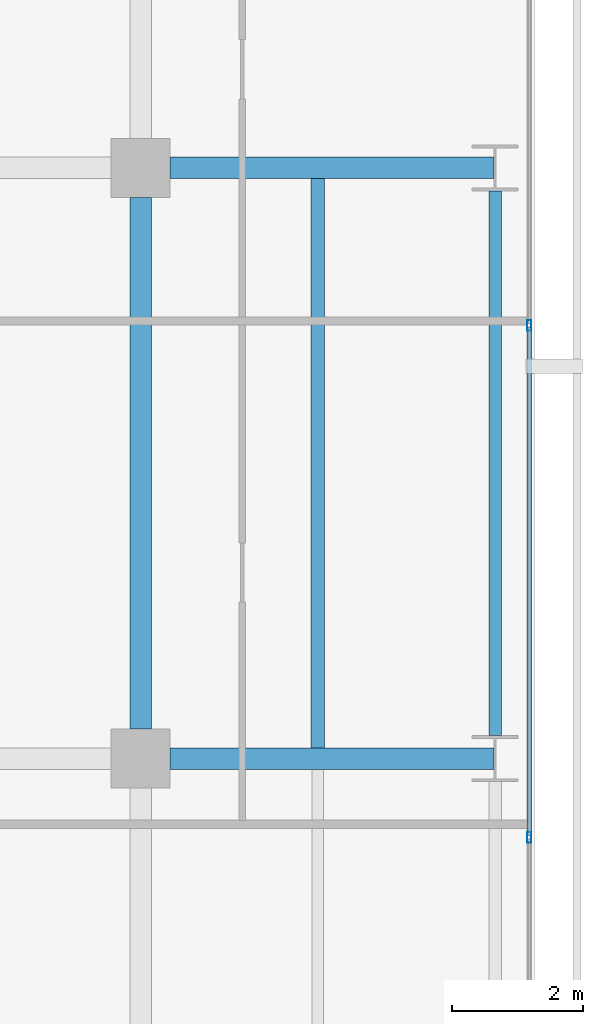
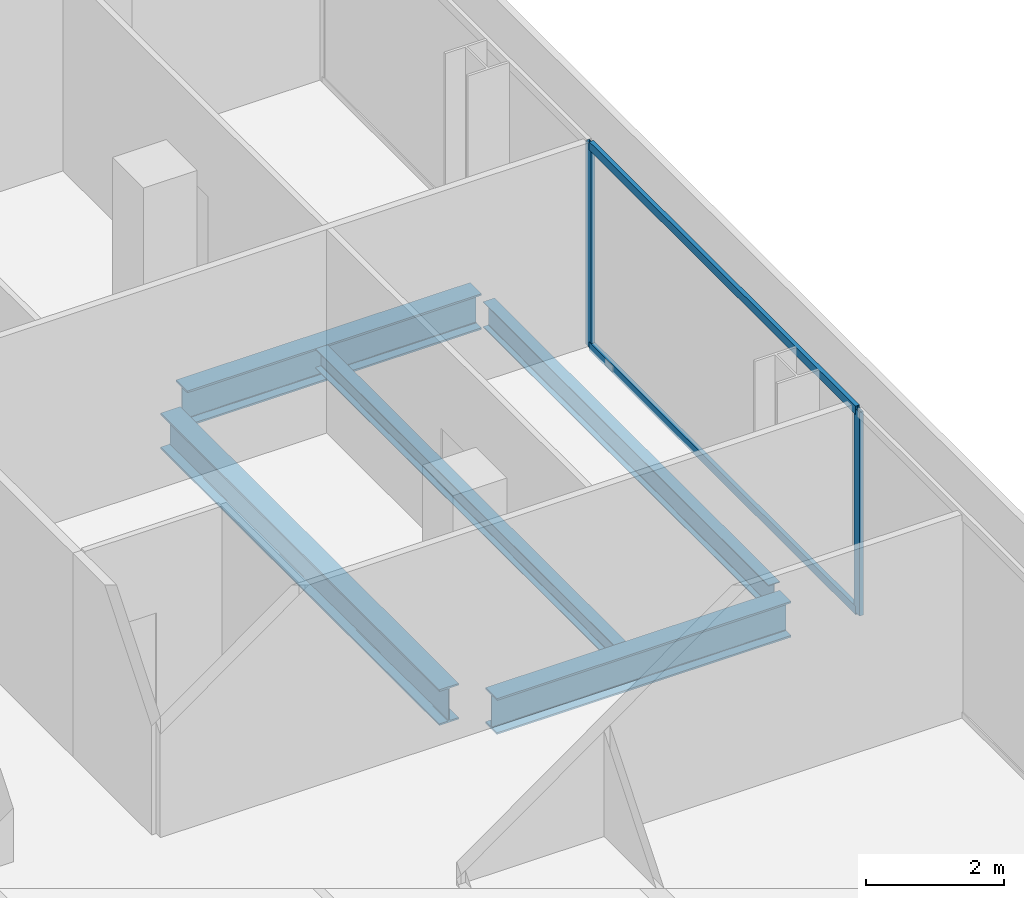
# One storey, part 28 of 40: 5 beams, 4 members, 1 element without a shape of its own.
"""IFC4 building model written with IfcOpenShell, lengths in metres."""

from ifc_helpers import new_model, si_unit, direction, frame, origin, origin_2d, place, context, subcontext, project, spatial, hollow_rectangle, i_section, extrude, material, layer, layer_set, material_profile, profile_set, type_object, element, aggregate, save


model = new_model("IFC4")

# Units and contexts
model_context = context("Model", 3, precision=1e-05, world=origin(), true_north=direction((0.0, 1.0)))
body_context = subcontext(model_context, "Body", "Model", "MODEL_VIEW")
ifc_project = project(units=[si_unit("LENGTHUNIT", "METRE"), si_unit("AREAUNIT", "SQUARE_METRE"), si_unit("VOLUMEUNIT", "CUBIC_METRE"), si_unit("PLANEANGLEUNIT", "RADIAN"), si_unit("MASSUNIT", "GRAM", prefix="KILO")], contexts=[model_context])

# Site, building, storey
site_placement = place(None, origin())
site = spatial("IfcSite", under=ifc_project, at=site_placement, CompositionType="ELEMENT")
building_placement = place(site_placement, origin())
building = spatial("IfcBuilding", under=site, at=building_placement, Name="Maruvema Waterfront Hotel and Observation Tower", CompositionType="ELEMENT")
storey_placement = place(building_placement, frame((0.0, 0.0, 34.64990234375)))
storey = spatial("IfcBuildingStorey", under=building, at=storey_placement, Name="L07", CompositionType="ELEMENT", Elevation=34.64990234375)

# Curtain wall, members
ifc_material_1 = material(Name="Anodised bronze aluminium and solar-control low-E IGU", Category="aluminium")
ifc_layer = layer(ifc_material_1, 0.159912109375, Name="Zone 1 Bronze Inner Thermal Curtain Wall System CW-02")
ifc_layer_set = layer_set([ifc_layer], Name="Anodised bronze aluminium and solar-control low-E IGU")
curtain_wall_type = type_object("IfcCurtainWallType", Name="Zone 1 Bronze Inner Thermal Curtain Wall System CW-02", PredefinedType="USERDEFINED", material=ifc_layer_set)
curtain_wall_placement = place(storey_placement, origin())
curtain_wall = element("IfcCurtainWall", 1, at=curtain_wall_placement, inside=storey, type_object=curtain_wall_type, Name="L07 Curtain Wall CW-L07-E", ObjectType="UNITISED CURTAIN WALL", PredefinedType="USERDEFINED")
ifc_material_2 = material(Name="Anodised architectural bronze aluminium", Category="aluminium")
ifc_material_profile_1 = material_profile(ifc_material_2, hollow_rectangle(XDim=0.070068359375, YDim=0.14990234375, WallThickness=0.00390625, at=origin_2d()), Name="ALU-T70x150")
ifc_profile_set_1 = profile_set([ifc_material_profile_1], Name="Anodised architectural bronze aluminium")
member_type_1 = type_object("IfcMemberType", Name="Curtain Wall Horizontal Transom ALU-T70x150", PredefinedType="USERDEFINED", material=ifc_profile_set_1)
member_1_placement = place(storey_placement, frame((64.719970703125, 34.830078125, 0.030029296875), z_axis=(0.0, 1.0, 0.0), x_axis=(-1.0, 0.0, 0.0)))
member_1 = element("IfcMember", 2, at=member_1_placement, type_object=member_type_1, Name="CW-02 transom 5.1", ObjectType="TRANSOM", PredefinedType="USERDEFINED", context=body_context, shape_type="SweptSolid", body=[
    extrude(hollow_rectangle(XDim=0.070068359375, YDim=0.14990234375, WallThickness=0.00390625, at=origin_2d()), origin(), (0.0, 0.0, 1.0), 7.739990234375),
])
member_2_placement = place(storey_placement, frame((64.719970703125, 34.830078125, 3.580078125), z_axis=(0.0, 1.0, 0.0), x_axis=(-1.0, 0.0, 0.0)))
member_2 = element("IfcMember", 3, at=member_2_placement, type_object=member_type_1, Name="CW-02 transom 5.2", ObjectType="TRANSOM", PredefinedType="USERDEFINED", context=body_context, shape_type="SweptSolid", body=[
    extrude(hollow_rectangle(XDim=0.070068359375, YDim=0.14990234375, WallThickness=0.00390625, at=origin_2d()), origin(), (0.0, 0.0, 1.0), 7.739990234375),
])
ifc_material_3 = material(Name="Anodised architectural bronze aluminium", Category="aluminium")
ifc_material_profile_2 = material_profile(ifc_material_3, hollow_rectangle(XDim=0.06494140625, YDim=0.1650390625, WallThickness=0.00390625, at=origin_2d()), Name="ALU-M65x165")
ifc_profile_set_2 = profile_set([ifc_material_profile_2], Name="Anodised architectural bronze aluminium")
member_type_2 = type_object("IfcMemberType", Name="Curtain Wall Primary Mullion ALU-M65x165", PredefinedType="MULLION", material=ifc_profile_set_2)
member_3_placement = place(storey_placement, frame((64.719970703125, 34.800048828125, 0.0), z_axis=(0.0, 0.0, 1.0), x_axis=(-1.0, 0.0, 0.0)))
member_3 = element("IfcMember", 4, at=member_3_placement, type_object=member_type_2, Name="CW-02 mullion 5", PredefinedType="MULLION", context=body_context, shape_type="SweptSolid", body=[
    extrude(hollow_rectangle(XDim=0.06494140625, YDim=0.1650390625, WallThickness=0.00390625, at=origin_2d()), origin(), (0.0, 0.0, 1.0), 3.610107421875),
])
member_4_placement = place(storey_placement, frame((64.719970703125, 42.60009765625, 0.0), z_axis=(0.0, 0.0, 1.0), x_axis=(-1.0, 0.0, 0.0)))
member_4 = element("IfcMember", 5, at=member_4_placement, type_object=member_type_2, Name="CW-02 mullion 6", PredefinedType="MULLION", context=body_context, shape_type="SweptSolid", body=[
    extrude(hollow_rectangle(XDim=0.06494140625, YDim=0.1650390625, WallThickness=0.00390625, at=origin_2d()), origin(), (0.0, 0.0, 1.0), 3.610107421875),
])
aggregate(curtain_wall, [member_3, member_4, member_1, member_2])

# Beams
ifc_material_4 = material(Name="Steel ASTM A572 Grade 50", Category="steel")
ifc_material_profile_3 = material_profile(ifc_material_4, i_section(OverallWidth=0.18994140625, OverallDepth=0.45703125, WebThickness=0.009033203125, FlangeThickness=0.014404296875, FilletRadius=0.014892578125, at=origin_2d()), Name="W460x74.0")
ifc_profile_set_3 = profile_set([ifc_material_profile_3], Name="Steel ASTM A572 Grade 50")
beam_type_1 = type_object("IfcBeamType", Name="Perimeter Spandrel Beam W460x74.0", PredefinedType="SPANDREL", material=ifc_profile_set_3)
beam_1_placement = place(storey_placement, frame((64.199951171875, 36.35009765625, -0.468505859375), z_axis=(0.0, 1.0, 0.0), x_axis=(-1.0, 0.0, 0.0)))
element("IfcBeam", 6, at=beam_1_placement, inside=storey, type_object=beam_type_1, Name="L07 Floor Girder NS-36", PredefinedType="SPANDREL", context=body_context, shape_type="SweptSolid", body=[
    extrude(i_section(OverallWidth=0.18994140625, OverallDepth=0.45703125, WebThickness=0.009033203125, FlangeThickness=0.014404296875, FilletRadius=0.014892578125, at=origin_2d()), origin(), (0.0, 0.0, 1.0), 8.2998046875),
])
ifc_material_5 = material(Name="Steel ASTM A572 Grade 50", Category="steel")
ifc_material_profile_4 = material_profile(ifc_material_5, i_section(OverallWidth=0.3291015625, OverallDepth=0.635009765625, WebThickness=0.017822265625, FlangeThickness=0.031005859375, FilletRadius=0.01806640625, at=origin_2d()), Name="W610x241.0")
ifc_profile_set_4 = profile_set([ifc_material_profile_4], Name="Steel ASTM A572 Grade 50")
beam_type_2 = type_object("IfcBeamType", Name="Primary Floor Girder W610x241.0", PredefinedType="BEAM", material=ifc_profile_set_4)
for number, where, z_axis, x_axis, name in (
    (7, (59.25, 36.0, -0.557373046875), (1.0, 0.0, 0.0), (0.0, 1.0, 0.0), "L07 Floor Girder EW-31"),
    (8, (59.25, 45.0, -0.557373046875), (1.0, 0.0, 0.0), (0.0, 1.0, 0.0), "L07 Floor Girder EW-35"),
):
    element("IfcBeam", number, at=place(storey_placement, frame(where, z_axis=z_axis, x_axis=x_axis)), inside=storey, type_object=beam_type_2, Name=name, PredefinedType="BEAM", context=body_context, shape_type="SweptSolid", body=[
        extrude(i_section(OverallWidth=0.3291015625, OverallDepth=0.635009765625, WebThickness=0.017822265625, FlangeThickness=0.031005859375, FilletRadius=0.01806640625, at=origin_2d()), origin(), (0.0, 0.0, 1.0), 4.93603515625),
    ])
beam_2_placement = place(storey_placement, frame((58.800048828125, 36.449951171875, -0.557373046875), z_axis=(0.0, 1.0, 0.0), x_axis=(-1.0, 0.0, 0.0)))
element("IfcBeam", 9, at=beam_2_placement, inside=storey, type_object=beam_type_2, Name="L07 Floor Girder NS-31", PredefinedType="BEAM", context=body_context, shape_type="SweptSolid", body=[
    extrude(i_section(OverallWidth=0.3291015625, OverallDepth=0.635009765625, WebThickness=0.017822265625, FlangeThickness=0.031005859375, FilletRadius=0.01806640625, at=origin_2d()), origin(), (0.0, 0.0, 1.0), 8.10009765625),
])
ifc_material_6 = material(Name="Steel ASTM A572 Grade 50", Category="steel")
ifc_material_profile_5 = material_profile(ifc_material_6, i_section(OverallWidth=0.202880859375, OverallDepth=0.346923828125, WebThickness=0.0078125, FlangeThickness=0.013427734375, FilletRadius=0.014892578125, at=origin_2d()), Name="W360x64.0")
ifc_profile_set_5 = profile_set([ifc_material_profile_5], Name="Steel ASTM A572 Grade 50")
beam_type_3 = type_object("IfcBeamType", Name="Secondary Floor Joist W360x64.0", PredefinedType="JOIST", material=ifc_profile_set_5)
beam_3_placement = place(storey_placement, frame((61.5, 36.16455078125, -0.413330078125), z_axis=(0.0, 1.0, 0.0), x_axis=(-1.0, 0.0, 0.0)))
element("IfcBeam", 10, at=beam_3_placement, inside=storey, type_object=beam_type_3, Name="L07 Secondary Floor Joist JS-24", PredefinedType="JOIST", context=body_context, shape_type="SweptSolid", body=[
    extrude(i_section(OverallWidth=0.202880859375, OverallDepth=0.346923828125, WebThickness=0.0078125, FlangeThickness=0.013427734375, FilletRadius=0.014892578125, at=origin_2d()), origin(), (0.0, 0.0, 1.0), 8.6708984375),
])

save(model, "model.ifc")
